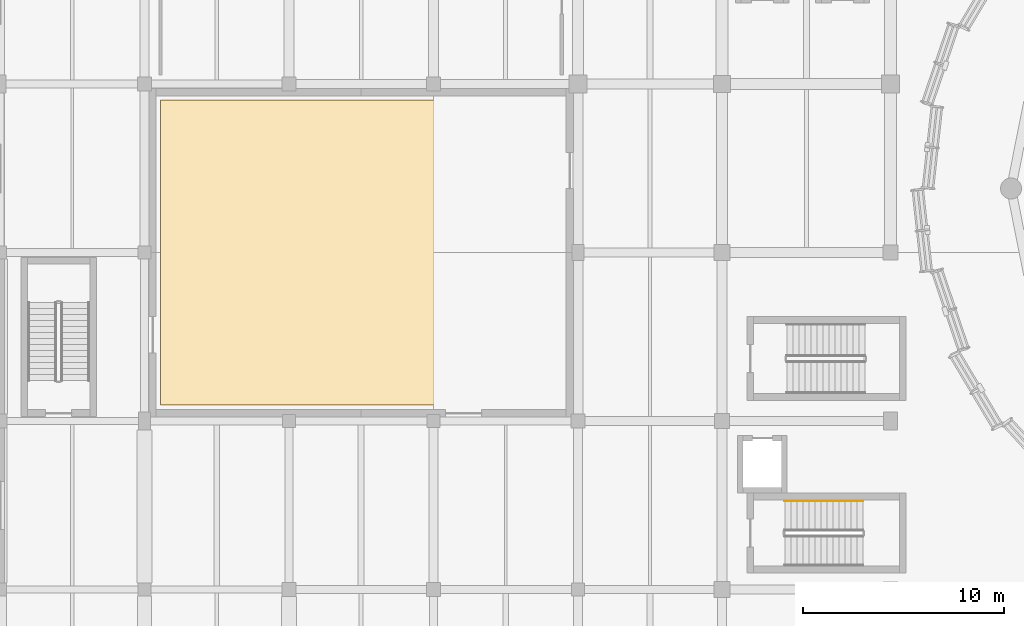
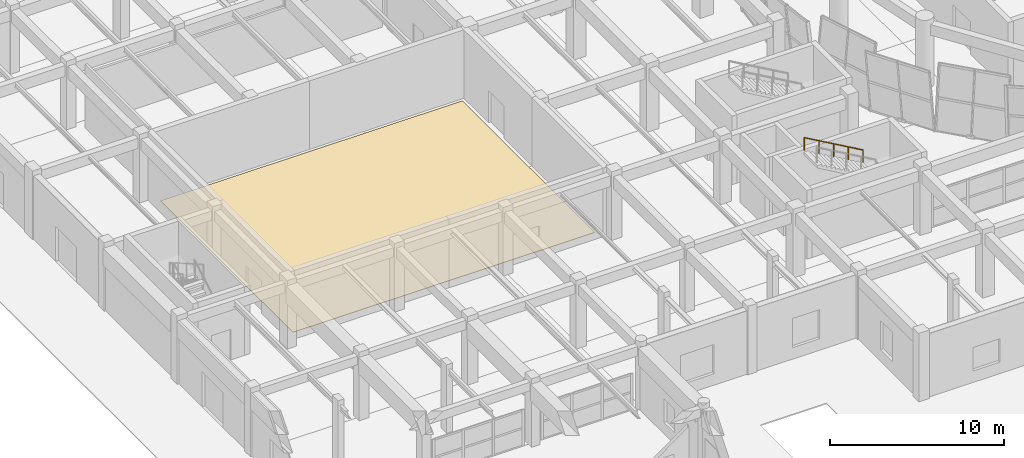
# One storey, part 60 of 72: 1 covering, 1 railing.
"""IFC4 building model written with IfcOpenShell, lengths in metres."""

from ifc_helpers import new_model, si_unit, direction, frame, origin, origin_2d, place, context, subcontext, project, spatial, polyline, circle, outline, extrude, material, layer, layer_set, type_object, element, save


model = new_model("IFC4")

# Units and contexts
model_context = context("Model", 3, precision=1e-05, world=origin(), true_north=direction((0.0, 1.0)))
body_context = subcontext(model_context, "Body", "Model", "MODEL_VIEW")
ifc_project = project(units=[si_unit("LENGTHUNIT", "METRE"), si_unit("AREAUNIT", "SQUARE_METRE"), si_unit("VOLUMEUNIT", "CUBIC_METRE"), si_unit("PLANEANGLEUNIT", "RADIAN"), si_unit("MASSUNIT", "GRAM", prefix="KILO")], contexts=[model_context])

# Site, building, storey
site_placement = place(None, origin())
site = spatial("IfcSite", under=ifc_project, at=site_placement, CompositionType="ELEMENT")
building_placement = place(site_placement, origin())
building = spatial("IfcBuilding", under=site, at=building_placement, Name="Korsvaeld Concert Hall", CompositionType="ELEMENT")
storey_placement = place(building_placement, origin())
storey = spatial("IfcBuildingStorey", under=building, at=storey_placement, Name="L00", CompositionType="ELEMENT", Elevation=0.0)

# Covering
ifc_material_1 = material(Name="Sprung European oak stage and foyer flooring")
ifc_layer = layer(ifc_material_1, 0.034912109375)
ifc_layer_set = layer_set([ifc_layer], Name="Sprung European oak stage and foyer flooring")
covering_type = type_object("IfcCoveringType", Name="COV-FLOOR-OAK", PredefinedType="FLOORING", material=ifc_layer_set)
covering_placement = place(storey_placement, origin())
element("IfcCovering", 1, at=covering_placement, inside=storey, type_object=covering_type, Name="Sprung oak acoustic floor L00-16", PredefinedType="FLOORING", context=body_context, shape_type="SweptSolid", body=[
    extrude(outline(polyline([(22.39990234375, 52.39990234375), (22.39990234375, 67.60009765625), (42.39990234375, 67.60009765625), (42.39990234375, 52.39990234375), (22.39990234375, 52.39990234375)])), origin(), (0.0, 0.0, 1.0), 0.034912109375),
])

# Railing
ifc_material_2 = material(Name="European oak and bronze stair handrail")
railing_type = type_object("IfcRailingType", Name="RL-STAIR-HAND-90", PredefinedType="HANDRAIL", material=ifc_material_2)
railing_placement = place(storey_placement, frame((57.419921875, 47.6201171875, 2.571533203125)))
element("IfcRailing", 2, at=railing_placement, inside=storey, type_object=railing_type, Name="L00 ST-K3 stair handrail 2", PredefinedType="HANDRAIL", context=body_context, shape_type="SweptSolid", body=[
    extrude(circle(Radius=0.02392578125, at=origin_2d()), frame((0.0, 0.0, 0.8759765625), z_axis=(-0.868243142124, 0.0, 0.496138938357), x_axis=(0.0, -1.0, 0.0)), (0.0, 0.0, 1.0), 4.49169921875),
    extrude(circle(Radius=0.02099609375, at=origin_2d()), origin(), (0.0, 0.0, 1.0), 0.851806640625),
    extrude(circle(Radius=0.02099609375, at=origin_2d()), frame((-0.97509765625, 0.0, 0.55712890625)), (0.0, 0.0, 1.0), 0.851806640625),
    extrude(circle(Radius=0.02099609375, at=origin_2d()), frame((-1.949951171875, 0.0, 1.1142578125)), (0.0, 0.0, 1.0), 0.851806640625),
    extrude(circle(Radius=0.02099609375, at=origin_2d()), frame((-2.9248046875, 0.0, 1.67138671875)), (0.0, 0.0, 1.0), 0.851806640625),
    extrude(circle(Radius=0.02099609375, at=origin_2d()), frame((-3.89990234375, 0.0, 2.228515625)), (0.0, 0.0, 1.0), 0.851806640625),
])

save(model, "model.ifc")
